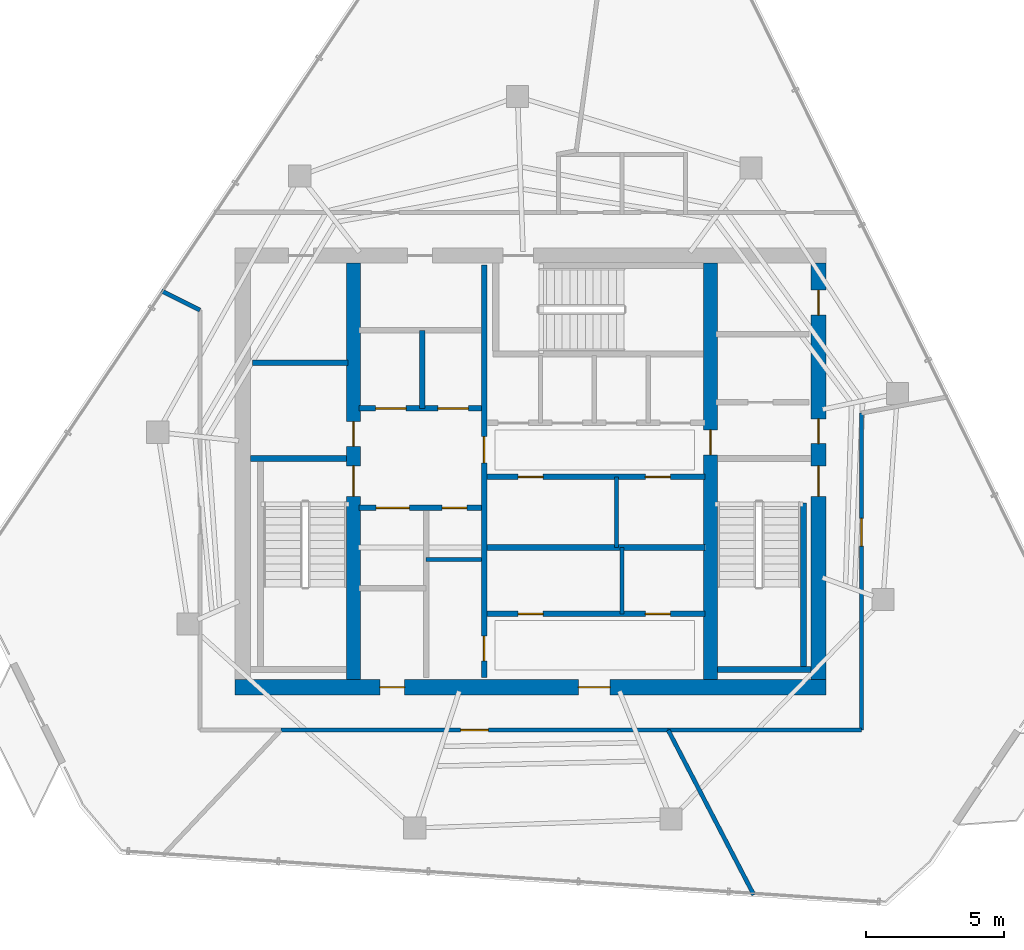
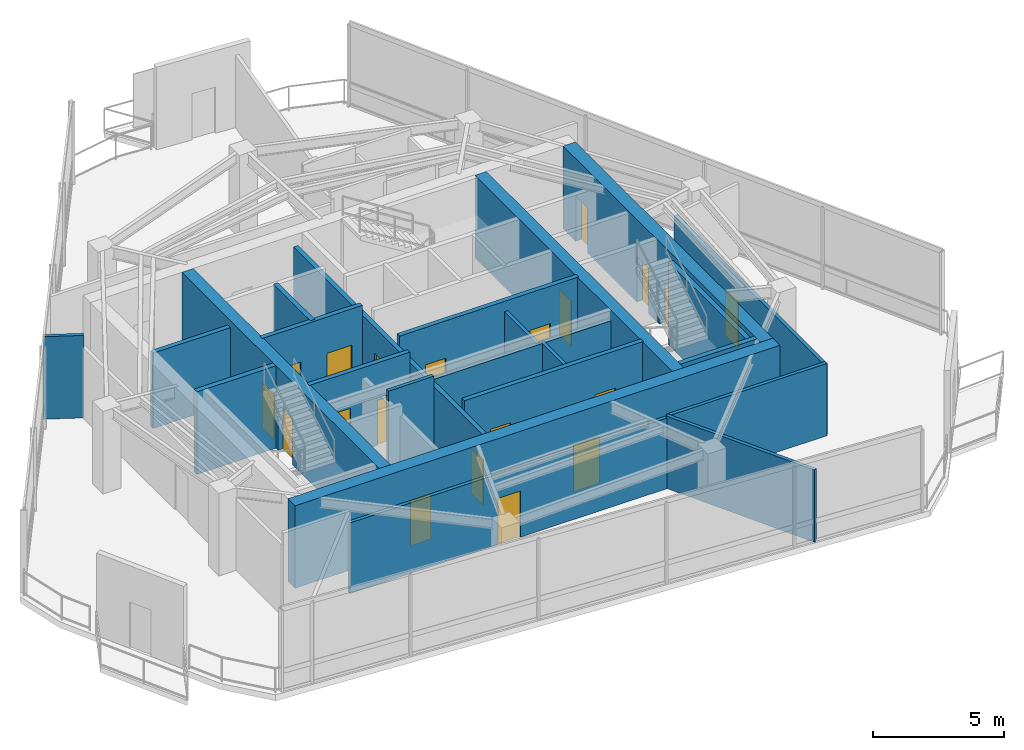
# One storey, part 14 of 18: 23 walls, 20 doors, 20 openings.
"""IFC4 building model written with IfcOpenShell, lengths in metres."""

from ifc_helpers import new_model, si_unit, direction, frame, frame_2d, origin, place, context, subcontext, project, spatial, rectangle, extrude, material, layer, layer_set, type_object, element, fill, save


model = new_model("IFC4")

# Units and contexts
model_context = context("Model", 3, precision=1e-05, world=origin(), true_north=direction((0.0, 1.0)))
body_context = subcontext(model_context, "Body", "Model", "MODEL_VIEW")
ifc_project = project(units=[si_unit("LENGTHUNIT", "METRE"), si_unit("AREAUNIT", "SQUARE_METRE"), si_unit("VOLUMEUNIT", "CUBIC_METRE"), si_unit("PLANEANGLEUNIT", "RADIAN"), si_unit("MASSUNIT", "GRAM", prefix="KILO")], contexts=[model_context])

# Site, building, storey
site_placement = place(None, origin())
site = spatial("IfcSite", under=ifc_project, at=site_placement, CompositionType="ELEMENT")
building_placement = place(site_placement, origin())
building = spatial("IfcBuilding", under=site, at=building_placement, Name="Qarnah Convention Tower", CompositionType="ELEMENT")
storey_placement = place(building_placement, frame((0.0, 0.0, 279.300048828125)))
storey = spatial("IfcBuildingStorey", under=building, at=storey_placement, Name="L75", CompositionType="ELEMENT", Elevation=279.300048828125)

# Wall, openings, doors
ifc_material_1 = material(Name="Concrete C60/75", Category="concrete")
ifc_layer_1 = layer(ifc_material_1, 0.550048828125)
ifc_layer_set_1 = layer_set([ifc_layer_1], Name="Concrete C60/75")
wall_type_1 = type_object("IfcWallType", Name="WL-CORE-550", PredefinedType="SHEAR", material=ifc_layer_set_1)
wall_1_placement = place(storey_placement, frame((26.52490234375, 18.60009765625, 0.0), z_axis=(0.0, 0.0, 1.0), x_axis=(1.0, 0.0, 0.0)))
wall_1 = element("IfcWall", 1, at=wall_1_placement, inside=storey, type_object=wall_type_1, Name="L75 core south shear wall", PredefinedType="SHEAR", context=body_context, shape_type="SweptSolid", body=[
    extrude(rectangle(XDim=21.35009765625, YDim=0.550048828125, at=frame_2d((10.675048828125, 0.0))), origin(), (0.0, 0.0, 1.0), 3.83984375),
])
opening_1_placement = place(wall_1_placement, frame((12.39990234375, 0.0, 0.0)))
opening_1 = element("IfcOpeningElement", 2, at=opening_1_placement, cuts=wall_1, Name="Opening D-7507", PredefinedType="OPENING", context=body_context, shape_type="SweptSolid", body=[
    extrude(rectangle(XDim=1.14990234375, YDim=2.14990234375, at=frame_2d((0.574951171875, 1.074951171875))), frame((0.0, 0.284912109375, 0.0), z_axis=(0.0, -1.0, 0.0), x_axis=(1.0, 0.0, 0.0)), (0.0, 0.0, 1.0), 0.570068359375),
])
opening_2_placement = place(wall_1_placement, frame((5.22509765625, 0.0, 0.0)))
opening_2 = element("IfcOpeningElement", 3, at=opening_2_placement, cuts=wall_1, Name="Opening D-7513", PredefinedType="OPENING", context=body_context, shape_type="SweptSolid", body=[
    extrude(rectangle(XDim=0.89990234375, YDim=2.10009765625, at=frame_2d((0.449951171875, 1.050048828125))), frame((0.0, 0.284912109375, 0.0), z_axis=(0.0, -1.0, 0.0), x_axis=(1.0, 0.0, 0.0)), (0.0, 0.0, 1.0), 0.570068359375),
])
ifc_material_2 = material(Name="Structural steel S355JR", Category="steel")
door_type_1 = type_object("IfcDoorType", Name="DT-LOBBY-1150", OperationType="NOTDEFINED", PredefinedType="DOOR", material=ifc_material_2)
door_1_placement = place(opening_1_placement, origin())
door_1 = element("IfcDoor", 4, at=door_1_placement, inside=storey, type_object=door_type_1, Name="Door D-7507", OperationType="SINGLE_SWING_RIGHT", OverallHeight=2.14990234375, OverallWidth=1.14990234375, PredefinedType="DOOR", context=body_context, shape_type="SweptSolid", body=[
    extrude(rectangle(XDim=1.14990234375, YDim=2.14990234375, at=frame_2d((0.574951171875, 1.074951171875))), frame((0.0, 0.02490234375, 0.0), z_axis=(0.0, -1.0, 0.0), x_axis=(1.0, 0.0, 0.0)), (0.0, 0.0, 1.0), 0.050048828125),
])
fill(opening_1, door_1)
door_type_2 = type_object("IfcDoorType", Name="DT-RISER-900", OperationType="NOTDEFINED", PredefinedType="DOOR", material=ifc_material_2)
door_2_placement = place(opening_2_placement, origin())
door_2 = element("IfcDoor", 5, at=door_2_placement, inside=storey, type_object=door_type_2, Name="Door D-7513", OperationType="SINGLE_SWING_RIGHT", OverallHeight=2.10009765625, OverallWidth=0.89990234375, PredefinedType="DOOR", context=body_context, shape_type="SweptSolid", body=[
    extrude(rectangle(XDim=0.89990234375, YDim=2.10009765625, at=frame_2d((0.449951171875, 1.050048828125))), frame((0.0, 0.02490234375, 0.0), z_axis=(0.0, -1.0, 0.0), x_axis=(1.0, 0.0, 0.0)), (0.0, 0.0, 1.0), 0.050048828125),
])
fill(opening_2, door_2)

wall_2_placement = place(storey_placement, frame((47.60009765625, 18.875, 0.0), z_axis=(0.0, 0.0, 1.0), x_axis=(0.0, 1.0, 0.0)))
wall_2 = element("IfcWall", 6, at=wall_2_placement, inside=storey, type_object=wall_type_1, Name="L75 core east shear wall", PredefinedType="SHEAR", context=body_context, shape_type="SweptSolid", body=[
    extrude(rectangle(XDim=15.050048828125, YDim=0.550048828125, at=frame_2d((7.52490234375, 0.0))), origin(), (0.0, 0.0, 1.0), 3.83984375),
])
opening_3_placement = place(wall_2_placement, frame((6.625, 0.0, 0.0)))
opening_3 = element("IfcOpeningElement", 7, at=opening_3_placement, cuts=wall_2, Name="Opening D-7502", PredefinedType="OPENING", context=body_context, shape_type="SweptSolid", body=[
    extrude(rectangle(XDim=1.10009765625, YDim=2.14990234375, at=frame_2d((0.550048828125, 1.074951171875))), frame((0.0, 0.284912109375, 0.0), z_axis=(0.0, -1.0, 0.0), x_axis=(1.0, 0.0, 0.0)), (0.0, 0.0, 1.0), 0.570068359375),
])
opening_4_placement = place(wall_2_placement, frame((8.52490234375, 0.0, 0.0)))
opening_4 = element("IfcOpeningElement", 8, at=opening_4_placement, cuts=wall_2, Name="Opening D-7506", PredefinedType="OPENING", context=body_context, shape_type="SweptSolid", body=[
    extrude(rectangle(XDim=0.89990234375, YDim=2.10009765625, at=frame_2d((0.449951171875, 1.050048828125))), frame((0.0, 0.284912109375, 0.0), z_axis=(0.0, -1.0, 0.0), x_axis=(1.0, 0.0, 0.0)), (0.0, 0.0, 1.0), 0.570068359375),
])
opening_5_placement = place(wall_2_placement, frame((13.175048828125, 0.0, 0.0)))
opening_5 = element("IfcOpeningElement", 9, at=opening_5_placement, cuts=wall_2, Name="Opening D-7512", PredefinedType="OPENING", context=body_context, shape_type="SweptSolid", body=[
    extrude(rectangle(XDim=0.89990234375, YDim=2.10009765625, at=frame_2d((0.449951171875, 1.050048828125))), frame((0.0, 0.284912109375, 0.0), z_axis=(0.0, -1.0, 0.0), x_axis=(1.0, 0.0, 0.0)), (0.0, 0.0, 1.0), 0.570068359375),
])
door_3_placement = place(opening_4_placement, origin())
door_3 = element("IfcDoor", 10, at=door_3_placement, inside=storey, type_object=door_type_2, Name="Door D-7506", OperationType="SINGLE_SWING_LEFT", OverallHeight=2.10009765625, OverallWidth=0.89990234375, PredefinedType="DOOR", context=body_context, shape_type="SweptSolid", body=[
    extrude(rectangle(XDim=0.89990234375, YDim=2.10009765625, at=frame_2d((0.449951171875, 1.050048828125))), frame((0.0, 0.02490234375, 0.0), z_axis=(0.0, -1.0, 0.0), x_axis=(1.0, 0.0, 0.0)), (0.0, 0.0, 1.0), 0.050048828125),
])
fill(opening_4, door_3)
door_4_placement = place(opening_5_placement, origin())
door_4 = element("IfcDoor", 11, at=door_4_placement, inside=storey, type_object=door_type_2, Name="Door D-7512", OperationType="SINGLE_SWING_LEFT", OverallHeight=2.10009765625, OverallWidth=0.89990234375, PredefinedType="DOOR", context=body_context, shape_type="SweptSolid", body=[
    extrude(rectangle(XDim=0.89990234375, YDim=2.10009765625, at=frame_2d((0.449951171875, 1.050048828125))), frame((0.0, 0.02490234375, 0.0), z_axis=(0.0, -1.0, 0.0), x_axis=(1.0, 0.0, 0.0)), (0.0, 0.0, 1.0), 0.050048828125),
])
fill(opening_5, door_4)
door_type_3 = type_object("IfcDoorType", Name="DT-STAIR-1100", OperationType="NOTDEFINED", PredefinedType="DOOR", material=ifc_material_2)
door_5_placement = place(opening_3_placement, origin())
door_5 = element("IfcDoor", 12, at=door_5_placement, inside=storey, type_object=door_type_3, Name="Door D-7502", OperationType="SINGLE_SWING_LEFT", OverallHeight=2.14990234375, OverallWidth=1.10009765625, PredefinedType="DOOR", context=body_context, shape_type="SweptSolid", body=[
    extrude(rectangle(XDim=1.10009765625, YDim=2.14990234375, at=frame_2d((0.550048828125, 1.074951171875))), frame((0.0, 0.02490234375, 0.0), z_axis=(0.0, -1.0, 0.0), x_axis=(1.0, 0.0, 0.0)), (0.0, 0.0, 1.0), 0.050048828125),
])
fill(opening_3, door_5)

ifc_layer_2 = layer(ifc_material_1, 0.5)
ifc_layer_set_2 = layer_set([ifc_layer_2], Name="Concrete C60/75")
wall_type_2 = type_object("IfcWallType", Name="WL-CORE-INT-400", PredefinedType="SHEAR", material=ifc_layer_set_2)
wall_3_placement = place(storey_placement, frame((30.800048828125, 18.875, 0.0), z_axis=(0.0, 0.0, 1.0), x_axis=(0.0, 1.0, 0.0)))
wall_3 = element("IfcWall", 13, at=wall_3_placement, inside=storey, type_object=wall_type_2, Name="L75 core west spine shear wall", PredefinedType="SHEAR", context=body_context, shape_type="SweptSolid", body=[
    extrude(rectangle(XDim=15.050048828125, YDim=0.5, at=frame_2d((7.52490234375, 0.0))), origin(), (0.0, 0.0, 1.0), 3.83984375),
])
opening_6_placement = place(wall_3_placement, frame((6.625, 0.0, 0.0)))
opening_6 = element("IfcOpeningElement", 14, at=opening_6_placement, cuts=wall_3, Name="Opening D-7501", PredefinedType="OPENING", context=body_context, shape_type="SweptSolid", body=[
    extrude(rectangle(XDim=1.10009765625, YDim=2.14990234375, at=frame_2d((0.550048828125, 1.074951171875))), frame((0.0, 0.260009765625, 0.0), z_axis=(0.0, -1.0, 0.0), x_axis=(1.0, 0.0, 0.0)), (0.0, 0.0, 1.0), 0.52001953125),
])
opening_7_placement = place(wall_3_placement, frame((8.425048828125, 0.0, 0.0)))
opening_7 = element("IfcOpeningElement", 15, at=opening_7_placement, cuts=wall_3, Name="Opening D-7508", PredefinedType="OPENING", context=body_context, shape_type="SweptSolid", body=[
    extrude(rectangle(XDim=0.89990234375, YDim=2.10009765625, at=frame_2d((0.449951171875, 1.050048828125))), frame((0.0, 0.260009765625, 0.0), z_axis=(0.0, -1.0, 0.0), x_axis=(1.0, 0.0, 0.0)), (0.0, 0.0, 1.0), 0.52001953125),
])
door_6_placement = place(opening_7_placement, origin())
door_6 = element("IfcDoor", 16, at=door_6_placement, inside=storey, type_object=door_type_2, Name="Door D-7508", OperationType="SINGLE_SWING_LEFT", OverallHeight=2.10009765625, OverallWidth=0.89990234375, PredefinedType="DOOR", context=body_context, shape_type="SweptSolid", body=[
    extrude(rectangle(XDim=0.89990234375, YDim=2.10009765625, at=frame_2d((0.449951171875, 1.050048828125))), frame((0.0, 0.02490234375, 0.0), z_axis=(0.0, -1.0, 0.0), x_axis=(1.0, 0.0, 0.0)), (0.0, 0.0, 1.0), 0.050048828125),
])
fill(opening_7, door_6)
door_7_placement = place(opening_6_placement, origin())
door_7 = element("IfcDoor", 17, at=door_7_placement, inside=storey, type_object=door_type_3, Name="Door D-7501", OperationType="SINGLE_SWING_RIGHT", OverallHeight=2.14990234375, OverallWidth=1.10009765625, PredefinedType="DOOR", context=body_context, shape_type="SweptSolid", body=[
    extrude(rectangle(XDim=1.10009765625, YDim=2.14990234375, at=frame_2d((0.550048828125, 1.074951171875))), frame((0.0, 0.02490234375, 0.0), z_axis=(0.0, -1.0, 0.0), x_axis=(1.0, 0.0, 0.0)), (0.0, 0.0, 1.0), 0.050048828125),
])
fill(opening_6, door_7)

# Wall, opening, door
wall_4_placement = place(storey_placement, frame((43.699951171875, 18.875, 0.0), z_axis=(0.0, 0.0, 1.0), x_axis=(0.0, 1.0, 0.0)))
wall_4 = element("IfcWall", 18, at=wall_4_placement, inside=storey, type_object=wall_type_2, Name="L75 core east spine shear wall", PredefinedType="SHEAR", context=body_context, shape_type="SweptSolid", body=[
    extrude(rectangle(XDim=15.050048828125, YDim=0.5, at=frame_2d((7.52490234375, 0.0))), origin(), (0.0, 0.0, 1.0), 3.83984375),
])
opening_8_placement = place(wall_4_placement, frame((8.125, 0.0, 0.0)))
opening_8 = element("IfcOpeningElement", 19, at=opening_8_placement, cuts=wall_4, Name="Opening D-7505", PredefinedType="OPENING", context=body_context, shape_type="SweptSolid", body=[
    extrude(rectangle(XDim=0.89990234375, YDim=2.10009765625, at=frame_2d((0.449951171875, 1.050048828125))), frame((0.0, 0.260009765625, 0.0), z_axis=(0.0, -1.0, 0.0), x_axis=(1.0, 0.0, 0.0)), (0.0, 0.0, 1.0), 0.52001953125),
])
door_8_placement = place(opening_8_placement, origin())
door_8 = element("IfcDoor", 20, at=door_8_placement, inside=storey, type_object=door_type_2, Name="Door D-7505", OperationType="SINGLE_SWING_RIGHT", OverallHeight=2.10009765625, OverallWidth=0.89990234375, PredefinedType="DOOR", context=body_context, shape_type="SweptSolid", body=[
    extrude(rectangle(XDim=0.89990234375, YDim=2.10009765625, at=frame_2d((0.449951171875, 1.050048828125))), frame((0.0, 0.02490234375, 0.0), z_axis=(0.0, -1.0, 0.0), x_axis=(1.0, 0.0, 0.0)), (0.0, 0.0, 1.0), 0.050048828125),
])
fill(opening_8, door_8)

# Wall
ifc_material_3 = material(Name="Concrete C45/55", Category="concrete")
ifc_layer_3 = layer(ifc_material_3, 0.199951171875)
ifc_layer_set_3 = layer_set([ifc_layer_3], Name="Concrete C45/55")
wall_type_3 = type_object("IfcWallType", Name="WL-CORE-PART-200", PredefinedType="SOLIDWALL", material=ifc_layer_set_3)
wall_5_placement = place(storey_placement, frame((27.14990234375, 30.320068359375, 0.0), z_axis=(0.0, 0.0, 1.0), x_axis=(1.0, 0.0, 0.0)))
element("IfcWall", 21, at=wall_5_placement, inside=storey, type_object=wall_type_3, Name="L75 interior wall IW-L75-ELRN", PredefinedType="SOLIDWALL", context=body_context, shape_type="SweptSolid", body=[
    extrude(rectangle(XDim=3.4501953125, YDim=0.199951171875, at=frame_2d((1.72509765625, 0.0))), origin(), (0.0, 0.0, 1.0), 3.512939453125),
])

# Wall, openings, doors
wall_6_placement = place(storey_placement, frame((35.52001953125, 18.949951171875, 0.0), z_axis=(0.0, 0.0, 1.0), x_axis=(0.0, 1.0, 0.0)))
wall_6 = element("IfcWall", 22, at=wall_6_placement, inside=storey, type_object=wall_type_3, Name="L75 interior wall IW-L75-CSP", PredefinedType="SOLIDWALL", context=body_context, shape_type="SweptSolid", body=[
    extrude(rectangle(XDim=14.900146484375, YDim=0.199951171875, at=frame_2d((7.4501953125, 0.0))), origin(), (0.0, 0.0, 1.0), 3.36083984375),
])
opening_9_placement = place(wall_6_placement, frame((7.7548828125, 0.0, 0.0)))
opening_9 = element("IfcOpeningElement", 23, at=opening_9_placement, cuts=wall_6, Name="Opening D-7504", PredefinedType="OPENING", context=body_context, shape_type="SweptSolid", body=[
    extrude(rectangle(XDim=0.949951171875, YDim=2.14990234375, at=frame_2d((0.47509765625, 1.074951171875))), frame((0.0, 0.10986328125, 0.0), z_axis=(0.0, -1.0, 0.0), x_axis=(1.0, 0.0, 0.0)), (0.0, 0.0, 1.0), 0.219970703125),
])
opening_10_placement = place(wall_6_placement, frame((0.60009765625, 0.0, 0.0)))
opening_10 = element("IfcOpeningElement", 24, at=opening_10_placement, cuts=wall_6, Name="Opening D-7514", PredefinedType="OPENING", context=body_context, shape_type="SweptSolid", body=[
    extrude(rectangle(XDim=0.89990234375, YDim=2.10009765625, at=frame_2d((0.449951171875, 1.050048828125))), frame((0.0, 0.10986328125, 0.0), z_axis=(0.0, -1.0, 0.0), x_axis=(1.0, 0.0, 0.0)), (0.0, 0.0, 1.0), 0.219970703125),
])
ifc_material_4 = material(Name="Oak timber veneer", Category="wood")
door_type_4 = type_object("IfcDoorType", Name="DT-HOTEL-950", OperationType="NOTDEFINED", PredefinedType="DOOR", material=ifc_material_4)
door_9_placement = place(opening_9_placement, origin())
door_9 = element("IfcDoor", 25, at=door_9_placement, inside=storey, type_object=door_type_4, Name="Door D-7504", OperationType="SINGLE_SWING_LEFT", OverallHeight=2.14990234375, OverallWidth=0.949951171875, PredefinedType="DOOR", context=body_context, shape_type="SweptSolid", body=[
    extrude(rectangle(XDim=0.949951171875, YDim=2.14990234375, at=frame_2d((0.47509765625, 1.074951171875))), frame((0.0, 0.02490234375, 0.0), z_axis=(0.0, -1.0, 0.0), x_axis=(1.0, 0.0, 0.0)), (0.0, 0.0, 1.0), 0.050048828125),
])
fill(opening_9, door_9)
door_10_placement = place(opening_10_placement, origin())
door_10 = element("IfcDoor", 26, at=door_10_placement, inside=storey, type_object=door_type_2, Name="Door D-7514", OperationType="SINGLE_SWING_LEFT", OverallHeight=2.10009765625, OverallWidth=0.89990234375, PredefinedType="DOOR", context=body_context, shape_type="SweptSolid", body=[
    extrude(rectangle(XDim=0.89990234375, YDim=2.10009765625, at=frame_2d((0.449951171875, 1.050048828125))), frame((0.0, 0.02490234375, 0.0), z_axis=(0.0, -1.0, 0.0), x_axis=(1.0, 0.0, 0.0)), (0.0, 0.0, 1.0), 0.050048828125),
])
fill(opening_10, door_10)

wall_7_placement = place(storey_placement, frame((31.0, 28.679931640625, 0.0), z_axis=(0.0, 0.0, 1.0), x_axis=(1.0, 0.0, 0.0)))
wall_7 = element("IfcWall", 27, at=wall_7_placement, inside=storey, type_object=wall_type_3, Name="L75 interior wall IW-L75-FFLS", PredefinedType="SOLIDWALL", context=body_context, shape_type="SweptSolid", body=[
    extrude(rectangle(XDim=4.419921875, YDim=0.199951171875, at=frame_2d((2.2099609375, 0.0))), origin(), (0.0, 0.0, 1.0), 3.83984375),
])
opening_11_placement = place(wall_7_placement, frame((0.60009765625, 0.0, 0.0)))
opening_11 = element("IfcOpeningElement", 28, at=opening_11_placement, cuts=wall_7, Name="Opening LD-7501", PredefinedType="OPENING", context=body_context, shape_type="SweptSolid", body=[
    extrude(rectangle(XDim=1.10009765625, YDim=2.14990234375, at=frame_2d((0.550048828125, 1.074951171875))), frame((0.0, 0.10986328125, 0.0), z_axis=(0.0, -1.0, 0.0), x_axis=(1.0, 0.0, 0.0)), (0.0, 0.0, 1.0), 0.219970703125),
])
opening_12_placement = place(wall_7_placement, frame((2.85009765625, 0.0, 0.0)))
opening_12 = element("IfcOpeningElement", 29, at=opening_12_placement, cuts=wall_7, Name="Opening LD-7502", PredefinedType="OPENING", context=body_context, shape_type="SweptSolid", body=[
    extrude(rectangle(XDim=1.10009765625, YDim=2.14990234375, at=frame_2d((0.550048828125, 1.074951171875))), frame((0.0, 0.10986328125, 0.0), z_axis=(0.0, -1.0, 0.0), x_axis=(1.0, 0.0, 0.0)), (0.0, 0.0, 1.0), 0.219970703125),
])
door_type_5 = type_object("IfcDoorType", Name="DT-LIFT-1100", OperationType="SLIDING_TO_LEFT", PredefinedType="DOOR", material=ifc_material_2)
door_11_placement = place(opening_11_placement, origin())
door_11 = element("IfcDoor", 30, at=door_11_placement, inside=storey, type_object=door_type_5, Name="Door LD-7501", OperationType="SLIDING_TO_LEFT", OverallHeight=2.14990234375, OverallWidth=1.10009765625, PredefinedType="DOOR", context=body_context, shape_type="SweptSolid", body=[
    extrude(rectangle(XDim=1.10009765625, YDim=2.14990234375, at=frame_2d((0.550048828125, 1.074951171875))), frame((0.0, 0.02490234375, 0.0), z_axis=(0.0, -1.0, 0.0), x_axis=(1.0, 0.0, 0.0)), (0.0, 0.0, 1.0), 0.050048828125),
])
fill(opening_11, door_11)
door_12_placement = place(opening_12_placement, origin())
door_12 = element("IfcDoor", 31, at=door_12_placement, inside=storey, type_object=door_type_5, Name="Door LD-7502", OperationType="SLIDING_TO_LEFT", OverallHeight=2.14990234375, OverallWidth=1.10009765625, PredefinedType="DOOR", context=body_context, shape_type="SweptSolid", body=[
    extrude(rectangle(XDim=1.10009765625, YDim=2.14990234375, at=frame_2d((0.550048828125, 1.074951171875))), frame((0.0, 0.02490234375, 0.0), z_axis=(0.0, -1.0, 0.0), x_axis=(1.0, 0.0, 0.0)), (0.0, 0.0, 1.0), 0.050048828125),
])
fill(opening_12, door_12)

# Wall
wall_8_placement = place(storey_placement, frame((33.280029296875, 28.679931640625, 0.0), z_axis=(0.0, 0.0, 1.0), x_axis=(0.0, 1.0, 0.0)))
element("IfcWall", 32, at=wall_8_placement, inside=storey, type_object=wall_type_3, Name="L75 interior wall IW-L75-FFLM", PredefinedType="SOLIDWALL", context=body_context, shape_type="SweptSolid", body=[
    extrude(rectangle(XDim=2.820068359375, YDim=0.199951171875, at=frame_2d((1.41015625, 0.0))), origin(), (0.0, 0.0, 1.0), 3.83984375),
])

# Wall, openings, doors
wall_9_placement = place(storey_placement, frame((31.0, 25.080078125, 0.0), z_axis=(0.0, 0.0, 1.0), x_axis=(1.0, 0.0, 0.0)))
wall_9 = element("IfcWall", 33, at=wall_9_placement, inside=storey, type_object=wall_type_3, Name="L75 interior wall IW-L75-FFLBS", PredefinedType="SOLIDWALL", context=body_context, shape_type="SweptSolid", body=[
    extrude(rectangle(XDim=4.419921875, YDim=0.199951171875, at=frame_2d((2.2099609375, 0.0))), origin(), (0.0, 0.0, 1.0), 3.83984375),
])
opening_13_placement = place(wall_9_placement, frame((3.0, 0.0, 0.0)))
opening_13 = element("IfcOpeningElement", 34, at=opening_13_placement, cuts=wall_9, Name="Opening D-7515", PredefinedType="OPENING", context=body_context, shape_type="SweptSolid", body=[
    extrude(rectangle(XDim=0.89990234375, YDim=2.10009765625, at=frame_2d((0.449951171875, 1.050048828125))), frame((0.0, 0.10986328125, 0.0), z_axis=(0.0, -1.0, 0.0), x_axis=(1.0, 0.0, 0.0)), (0.0, 0.0, 1.0), 0.219970703125),
])
opening_14_placement = place(wall_9_placement, frame((0.6201171875, 0.0, 0.0)))
opening_14 = element("IfcOpeningElement", 35, at=opening_14_placement, cuts=wall_9, Name="Opening LD-7503", PredefinedType="OPENING", context=body_context, shape_type="SweptSolid", body=[
    extrude(rectangle(XDim=1.199951171875, YDim=2.14990234375, at=frame_2d((0.60009765625, 1.074951171875))), frame((0.0, 0.10986328125, 0.0), z_axis=(0.0, -1.0, 0.0), x_axis=(1.0, 0.0, 0.0)), (0.0, 0.0, 1.0), 0.219970703125),
])
door_type_6 = type_object("IfcDoorType", Name="DT-LIFT-1200", OperationType="SLIDING_TO_LEFT", PredefinedType="DOOR", material=ifc_material_2)
door_13_placement = place(opening_14_placement, origin())
door_13 = element("IfcDoor", 36, at=door_13_placement, inside=storey, type_object=door_type_6, Name="Door LD-7503", OperationType="SLIDING_TO_LEFT", OverallHeight=2.14990234375, OverallWidth=1.199951171875, PredefinedType="DOOR", context=body_context, shape_type="SweptSolid", body=[
    extrude(rectangle(XDim=1.199951171875, YDim=2.14990234375, at=frame_2d((0.60009765625, 1.074951171875))), frame((0.0, 0.02490234375, 0.0), z_axis=(0.0, -1.0, 0.0), x_axis=(1.0, 0.0, 0.0)), (0.0, 0.0, 1.0), 0.050048828125),
])
fill(opening_14, door_13)
door_14_placement = place(opening_13_placement, origin())
door_14 = element("IfcDoor", 37, at=door_14_placement, inside=storey, type_object=door_type_2, Name="Door D-7515", OperationType="SINGLE_SWING_RIGHT", OverallHeight=2.10009765625, OverallWidth=0.89990234375, PredefinedType="DOOR", context=body_context, shape_type="SweptSolid", body=[
    extrude(rectangle(XDim=0.89990234375, YDim=2.10009765625, at=frame_2d((0.449951171875, 1.050048828125))), frame((0.0, 0.02490234375, 0.0), z_axis=(0.0, -1.0, 0.0), x_axis=(1.0, 0.0, 0.0)), (0.0, 0.0, 1.0), 0.050048828125),
])
fill(opening_13, door_14)

wall_10_placement = place(storey_placement, frame((35.6201171875, 26.199951171875, 0.0), z_axis=(0.0, 0.0, 1.0), x_axis=(1.0, 0.0, 0.0)))
wall_10 = element("IfcWall", 38, at=wall_10_placement, inside=storey, type_object=wall_type_3, Name="L75 interior wall IW-L75-PMN", PredefinedType="SOLIDWALL", context=body_context, shape_type="SweptSolid", body=[
    extrude(rectangle(XDim=7.8798828125, YDim=0.199951171875, at=frame_2d((3.93994140625, 0.0))), origin(), (0.0, 0.0, 1.0), 3.83984375),
])
opening_15_placement = place(wall_10_placement, frame((1.1298828125, 0.0, 0.0)))
opening_15 = element("IfcOpeningElement", 39, at=opening_15_placement, cuts=wall_10, Name="Opening D-7518", PredefinedType="OPENING", context=body_context, shape_type="SweptSolid", body=[
    extrude(rectangle(XDim=0.89990234375, YDim=2.10009765625, at=frame_2d((0.449951171875, 1.050048828125))), frame((0.0, 0.10986328125, 0.0), z_axis=(0.0, -1.0, 0.0), x_axis=(1.0, 0.0, 0.0)), (0.0, 0.0, 1.0), 0.219970703125),
])
opening_16_placement = place(wall_10_placement, frame((5.72998046875, 0.0, 0.0)))
opening_16 = element("IfcOpeningElement", 40, at=opening_16_placement, cuts=wall_10, Name="Opening D-7519", PredefinedType="OPENING", context=body_context, shape_type="SweptSolid", body=[
    extrude(rectangle(XDim=0.89990234375, YDim=2.10009765625, at=frame_2d((0.449951171875, 1.050048828125))), frame((0.0, 0.10986328125, 0.0), z_axis=(0.0, -1.0, 0.0), x_axis=(1.0, 0.0, 0.0)), (0.0, 0.0, 1.0), 0.219970703125),
])
door_15_placement = place(opening_15_placement, origin())
door_15 = element("IfcDoor", 41, at=door_15_placement, inside=storey, type_object=door_type_2, Name="Door D-7518", OperationType="SINGLE_SWING_LEFT", OverallHeight=2.10009765625, OverallWidth=0.89990234375, PredefinedType="DOOR", context=body_context, shape_type="SweptSolid", body=[
    extrude(rectangle(XDim=0.89990234375, YDim=2.10009765625, at=frame_2d((0.449951171875, 1.050048828125))), frame((0.0, 0.02490234375, 0.0), z_axis=(0.0, -1.0, 0.0), x_axis=(1.0, 0.0, 0.0)), (0.0, 0.0, 1.0), 0.050048828125),
])
fill(opening_15, door_15)
door_16_placement = place(opening_16_placement, origin())
door_16 = element("IfcDoor", 42, at=door_16_placement, inside=storey, type_object=door_type_2, Name="Door D-7519", OperationType="SINGLE_SWING_RIGHT", OverallHeight=2.10009765625, OverallWidth=0.89990234375, PredefinedType="DOOR", context=body_context, shape_type="SweptSolid", body=[
    extrude(rectangle(XDim=0.89990234375, YDim=2.10009765625, at=frame_2d((0.449951171875, 1.050048828125))), frame((0.0, 0.02490234375, 0.0), z_axis=(0.0, -1.0, 0.0), x_axis=(1.0, 0.0, 0.0)), (0.0, 0.0, 1.0), 0.050048828125),
])
fill(opening_16, door_16)

# Wall
wall_11_placement = place(storey_placement, frame((35.6201171875, 23.64990234375, 0.0), z_axis=(0.0, 0.0, 1.0), x_axis=(1.0, 0.0, 0.0)))
element("IfcWall", 43, at=wall_11_placement, inside=storey, type_object=wall_type_3, Name="L75 interior wall IW-L75-PMPL", PredefinedType="SOLIDWALL", context=body_context, shape_type="SweptSolid", body=[
    extrude(rectangle(XDim=7.8798828125, YDim=0.199951171875, at=frame_2d((3.93994140625, 0.0))), origin(), (0.0, 0.0, 1.0), 3.36083984375),
])

# Wall, openings, doors
wall_12_placement = place(storey_placement, frame((35.6201171875, 21.25, 0.0), z_axis=(0.0, 0.0, 1.0), x_axis=(1.0, 0.0, 0.0)))
wall_12 = element("IfcWall", 44, at=wall_12_placement, inside=storey, type_object=wall_type_3, Name="L75 interior wall IW-L75-PLS", PredefinedType="SOLIDWALL", context=body_context, shape_type="SweptSolid", body=[
    extrude(rectangle(XDim=7.8798828125, YDim=0.199951171875, at=frame_2d((3.93994140625, 0.0))), origin(), (0.0, 0.0, 1.0), 3.83984375),
])
opening_17_placement = place(wall_12_placement, frame((1.1298828125, 0.0, 0.0)))
opening_17 = element("IfcOpeningElement", 45, at=opening_17_placement, cuts=wall_12, Name="Opening D-7516", PredefinedType="OPENING", context=body_context, shape_type="SweptSolid", body=[
    extrude(rectangle(XDim=0.89990234375, YDim=2.10009765625, at=frame_2d((0.449951171875, 1.050048828125))), frame((0.0, 0.10986328125, 0.0), z_axis=(0.0, -1.0, 0.0), x_axis=(1.0, 0.0, 0.0)), (0.0, 0.0, 1.0), 0.219970703125),
])
opening_18_placement = place(wall_12_placement, frame((5.72998046875, 0.0, 0.0)))
opening_18 = element("IfcOpeningElement", 46, at=opening_18_placement, cuts=wall_12, Name="Opening D-7517", PredefinedType="OPENING", context=body_context, shape_type="SweptSolid", body=[
    extrude(rectangle(XDim=0.89990234375, YDim=2.10009765625, at=frame_2d((0.449951171875, 1.050048828125))), frame((0.0, 0.10986328125, 0.0), z_axis=(0.0, -1.0, 0.0), x_axis=(1.0, 0.0, 0.0)), (0.0, 0.0, 1.0), 0.219970703125),
])
door_17_placement = place(opening_17_placement, origin())
door_17 = element("IfcDoor", 47, at=door_17_placement, inside=storey, type_object=door_type_2, Name="Door D-7516", OperationType="SINGLE_SWING_LEFT", OverallHeight=2.10009765625, OverallWidth=0.89990234375, PredefinedType="DOOR", context=body_context, shape_type="SweptSolid", body=[
    extrude(rectangle(XDim=0.89990234375, YDim=2.10009765625, at=frame_2d((0.449951171875, 1.050048828125))), frame((0.0, 0.02490234375, 0.0), z_axis=(0.0, -1.0, 0.0), x_axis=(1.0, 0.0, 0.0)), (0.0, 0.0, 1.0), 0.050048828125),
])
fill(opening_17, door_17)
door_18_placement = place(opening_18_placement, origin())
door_18 = element("IfcDoor", 48, at=door_18_placement, inside=storey, type_object=door_type_2, Name="Door D-7517", OperationType="SINGLE_SWING_RIGHT", OverallHeight=2.10009765625, OverallWidth=0.89990234375, PredefinedType="DOOR", context=body_context, shape_type="SweptSolid", body=[
    extrude(rectangle(XDim=0.89990234375, YDim=2.10009765625, at=frame_2d((0.449951171875, 1.050048828125))), frame((0.0, 0.02490234375, 0.0), z_axis=(0.0, -1.0, 0.0), x_axis=(1.0, 0.0, 0.0)), (0.0, 0.0, 1.0), 0.050048828125),
])
fill(opening_18, door_18)

# Walls
ifc_layer_4 = layer(ifc_material_1, 0.219970703125)
ifc_layer_set_4 = layer_set([ifc_layer_4], Name="Concrete C60/75")
wall_type_4 = type_object("IfcWallType", Name="WL-CORE-STAIR-220", PredefinedType="SHEAR", material=ifc_layer_set_4)
wall_13_placement = place(storey_placement, frame((27.074951171875, 26.860107421875, 0.0), z_axis=(0.0, 0.0, 1.0), x_axis=(1.0, 0.0, 0.0)))
element("IfcWall", 49, at=wall_13_placement, inside=storey, type_object=wall_type_4, Name="L75 stair shaft shear wall SW-L75-ST1N", PredefinedType="SHEAR", context=body_context, shape_type="SweptSolid", body=[
    extrude(rectangle(XDim=3.47509765625, YDim=0.219970703125, at=frame_2d((1.737548828125, 0.0))), origin(), (0.0, 0.0, 1.0), 3.83984375),
])
wall_14_placement = place(storey_placement, frame((47.06005859375, 19.35009765625, 0.0), z_axis=(0.0, 0.0, 1.0), x_axis=(0.0, 1.0, 0.0)))
element("IfcWall", 50, at=wall_14_placement, inside=storey, type_object=wall_type_4, Name="L75 stair shaft shear wall SW-L75-ST2E", PredefinedType="SHEAR", context=body_context, shape_type="SweptSolid", body=[
    extrude(rectangle(XDim=5.89990234375, YDim=0.219970703125, at=frame_2d((2.949951171875, 0.0))), origin(), (0.0, 0.0, 1.0), 3.83984375),
])
wall_15_placement = place(storey_placement, frame((43.949951171875, 19.239990234375, 0.0), z_axis=(0.0, 0.0, 1.0), x_axis=(1.0, 0.0, 0.0)))
element("IfcWall", 51, at=wall_15_placement, inside=storey, type_object=wall_type_4, Name="L75 stair shaft shear wall SW-L75-ST2S", PredefinedType="SHEAR", context=body_context, shape_type="SweptSolid", body=[
    extrude(rectangle(XDim=3.375, YDim=0.219970703125, at=frame_2d((1.6875, 0.0))), origin(), (0.0, 0.0, 1.0), 3.83984375),
])
ifc_material_5 = material(Name="Gypsum partition board")
ifc_layer_5 = layer(ifc_material_5, 0.14990234375)
ifc_layer_set_5 = layer_set([ifc_layer_5], Name="Gypsum partition board")
wall_type_5 = type_object("IfcWallType", Name="WL-SUITE-150", PredefinedType="PARTITIONING", material=ifc_layer_set_5)
wall_16_placement = place(storey_placement, frame((33.419921875, 23.219970703125, 0.0), z_axis=(0.0, 0.0, 1.0), x_axis=(1.0, 0.0, 0.0)))
element("IfcWall", 52, at=wall_16_placement, inside=storey, type_object=wall_type_5, Name="L75 interior wall IW-L75-CSV1", PredefinedType="PARTITIONING", context=body_context, shape_type="SweptSolid", body=[
    extrude(rectangle(XDim=2.0, YDim=0.14990234375, at=frame_2d((1.0, 0.0))), origin(), (0.0, 0.0, 1.0), 3.83984375),
])
wall_17_placement = place(storey_placement, frame((40.300048828125, 23.64990234375, 0.0), z_axis=(0.0, 0.0, 1.0), x_axis=(0.0, 1.0, 0.0)))
element("IfcWall", 53, at=wall_17_placement, inside=storey, type_object=wall_type_5, Name="L75 interior wall IW-L75-PMFD", PredefinedType="PARTITIONING", context=body_context, shape_type="SweptSolid", body=[
    extrude(rectangle(XDim=2.550048828125, YDim=0.14990234375, at=frame_2d((1.27490234375, 0.0))), origin(), (0.0, 0.0, 1.0), 3.36083984375),
])
wall_18_placement = place(storey_placement, frame((40.5, 21.25, 0.0), z_axis=(0.0, 0.0, 1.0), x_axis=(0.0, 1.0, 0.0)))
element("IfcWall", 54, at=wall_18_placement, inside=storey, type_object=wall_type_5, Name="L75 interior wall IW-L75-PLFD", PredefinedType="PARTITIONING", context=body_context, shape_type="SweptSolid", body=[
    extrude(rectangle(XDim=2.39990234375, YDim=0.14990234375, at=frame_2d((1.199951171875, 0.0))), origin(), (0.0, 0.0, 1.0), 3.36083984375),
])
wall_19_placement = place(storey_placement, frame((25.25, 32.22802734375, 0.0), z_axis=(0.0, 0.0, 1.0), x_axis=(-0.894018231415, 0.448030581431, 0.0)))
element("IfcWall", 55, at=wall_19_placement, inside=storey, type_object=wall_type_5, Name="L75 interior wall IW-L75-R-15", PredefinedType="PARTITIONING", context=body_context, shape_type="SweptSolid", body=[
    extrude(rectangle(XDim=1.553466796875, YDim=0.14990234375, at=frame_2d((0.77685546875, 0.0))), origin(), (0.0, 0.0, 1.0), 3.83984375),
])
wall_20_placement = place(storey_placement, frame((45.262939453125, 11.10205078125, 0.0), z_axis=(0.0, 0.0, 1.0), x_axis=(-0.461244944401, 0.887272844882, 0.0)))
element("IfcWall", 56, at=wall_20_placement, inside=storey, type_object=wall_type_5, Name="L75 interior wall IW-L75-R-16", PredefinedType="PARTITIONING", context=body_context, shape_type="SweptSolid", body=[
    extrude(rectangle(XDim=6.70361328125, YDim=0.14990234375, at=frame_2d((3.351806640625, 0.0))), origin(), (0.0, 0.0, 1.0), 3.364990234375),
])

# Wall, opening, door
wall_21_placement = place(storey_placement, frame((42.1708984375, 17.050048828125, 0.0), z_axis=(0.0, 0.0, 1.0), x_axis=(-1.0, 0.0, 0.0)))
wall_21 = element("IfcWall", 57, at=wall_21_placement, inside=storey, type_object=wall_type_5, Name="L75 interior wall IW-L75-R-17", PredefinedType="PARTITIONING", context=body_context, shape_type="SweptSolid", body=[
    extrude(rectangle(XDim=14.0, YDim=0.14990234375, at=frame_2d((7.0, 0.0))), origin(), (0.0, 0.0, 1.0), 3.2890625),
])
opening_19_placement = place(wall_21_placement, frame((6.5, 0.0, 0.0)))
opening_19 = element("IfcOpeningElement", 58, at=opening_19_placement, cuts=wall_21, Name="Opening D-7525", PredefinedType="OPENING", context=body_context, shape_type="SweptSolid", body=[
    extrude(rectangle(XDim=1.0, YDim=2.14990234375, at=frame_2d((0.5, 1.074951171875))), frame((0.0, 0.0849609375, 0.0), z_axis=(0.0, -1.0, 0.0), x_axis=(1.0, 0.0, 0.0)), (0.0, 0.0, 1.0), 0.169921875),
])
door_type_7 = type_object("IfcDoorType", Name="DT-OFFICE-1000", OperationType="NOTDEFINED", PredefinedType="DOOR", material=ifc_material_4)
door_19_placement = place(opening_19_placement, origin())
door_19 = element("IfcDoor", 59, at=door_19_placement, inside=storey, type_object=door_type_7, Name="Door D-7525", OperationType="SINGLE_SWING_RIGHT", OverallHeight=2.14990234375, OverallWidth=1.0, PredefinedType="DOOR", context=body_context, shape_type="SweptSolid", body=[
    extrude(rectangle(XDim=1.0, YDim=2.14990234375, at=frame_2d((0.5, 1.074951171875))), frame((0.0, 0.02490234375, 0.0), z_axis=(0.0, -1.0, 0.0), x_axis=(1.0, 0.0, 0.0)), (0.0, 0.0, 1.0), 0.050048828125),
])
fill(opening_19, door_19)

wall_22_placement = place(storey_placement, frame((49.14990234375, 28.507080078125, 0.0), z_axis=(0.0, 0.0, 1.0), x_axis=(0.0, -1.0, 0.0)))
wall_22 = element("IfcWall", 60, at=wall_22_placement, inside=storey, type_object=wall_type_5, Name="L75 interior wall IW-L75-R-19", PredefinedType="PARTITIONING", context=body_context, shape_type="SweptSolid", body=[
    extrude(rectangle(XDim=11.45703125, YDim=0.14990234375, at=frame_2d((5.728515625, 0.0))), origin(), (0.0, 0.0, 1.0), 3.2890625),
])
opening_20_placement = place(wall_22_placement, frame((3.802978515625, 0.0, 0.0)))
opening_20 = element("IfcOpeningElement", 61, at=opening_20_placement, cuts=wall_22, Name="Opening D-7526", PredefinedType="OPENING", context=body_context, shape_type="SweptSolid", body=[
    extrude(rectangle(XDim=1.0, YDim=2.14990234375, at=frame_2d((0.5, 1.074951171875))), frame((0.0, 0.0849609375, 0.0), z_axis=(0.0, -1.0, 0.0), x_axis=(1.0, 0.0, 0.0)), (0.0, 0.0, 1.0), 0.169921875),
])
door_20_placement = place(opening_20_placement, origin())
door_20 = element("IfcDoor", 62, at=door_20_placement, inside=storey, type_object=door_type_7, Name="Door D-7526", OperationType="SINGLE_SWING_LEFT", OverallHeight=2.14990234375, OverallWidth=1.0, PredefinedType="DOOR", context=body_context, shape_type="SweptSolid", body=[
    extrude(rectangle(XDim=1.0, YDim=2.14990234375, at=frame_2d((0.5, 1.074951171875))), frame((0.0, 0.02490234375, 0.0), z_axis=(0.0, -1.0, 0.0), x_axis=(1.0, 0.0, 0.0)), (0.0, 0.0, 1.0), 0.050048828125),
])
fill(opening_20, door_20)

# Wall
wall_23_placement = place(storey_placement, frame((49.14990234375, 17.050048828125, 0.0), z_axis=(0.0, 0.0, 1.0), x_axis=(-1.0, 0.0, 0.0)))
element("IfcWall", 63, at=wall_23_placement, inside=storey, type_object=wall_type_5, Name="L75 interior wall IW-L75-R-20", PredefinedType="PARTITIONING", context=body_context, shape_type="SweptSolid", body=[
    extrude(rectangle(XDim=6.97900390625, YDim=0.14990234375, at=frame_2d((3.489501953125, 0.0))), origin(), (0.0, 0.0, 1.0), 3.364990234375),
])

save(model, "model.ifc")
